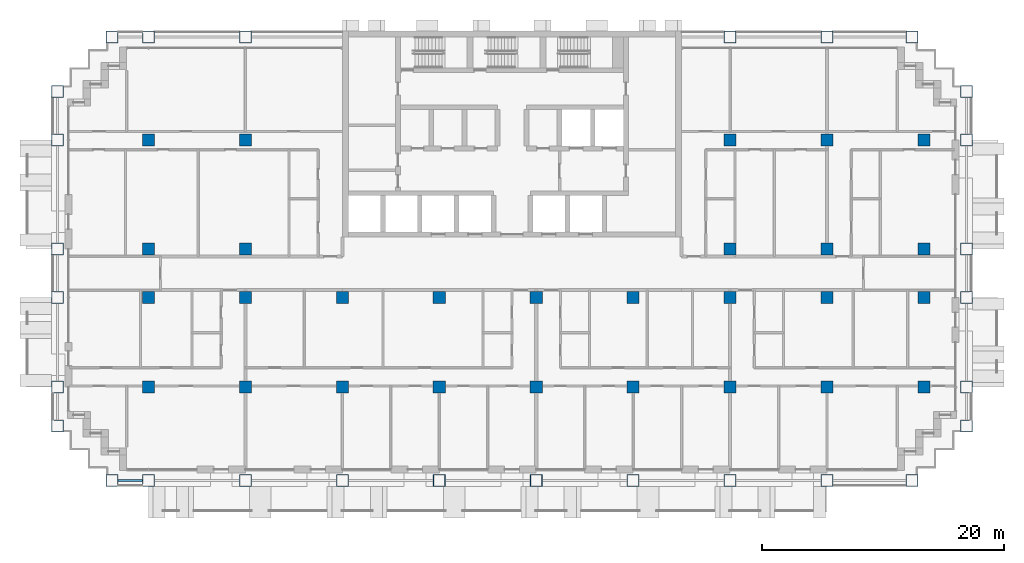
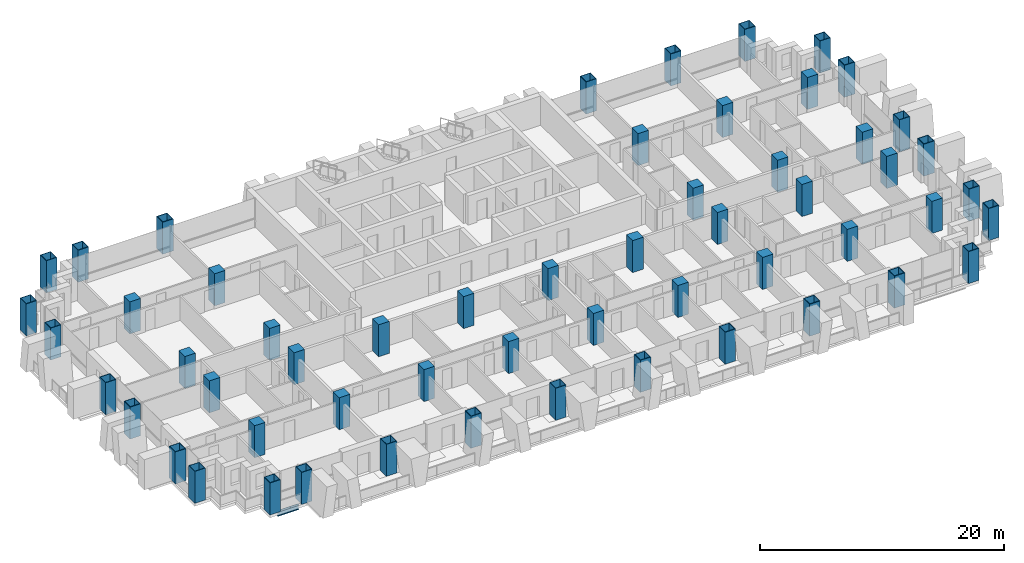
# One storey, part 1 of 18: 56 columns, 1 beam.
"""IFC4 building model written with IfcOpenShell, lengths in metres."""

from ifc_helpers import new_model, si_unit, direction, frame, origin, origin_2d, place, context, subcontext, project, spatial, rectangle, hollow_rectangle, i_section, extrude, material, material_profile, profile_set, type_object, element, save


model = new_model("IFC4")

# Units and contexts
model_context = context("Model", 3, precision=1e-05, world=origin(), true_north=direction((0.0, 1.0)))
body_context = subcontext(model_context, "Body", "Model", "MODEL_VIEW")
ifc_project = project(units=[si_unit("LENGTHUNIT", "METRE"), si_unit("AREAUNIT", "SQUARE_METRE"), si_unit("VOLUMEUNIT", "CUBIC_METRE"), si_unit("PLANEANGLEUNIT", "RADIAN"), si_unit("MASSUNIT", "GRAM", prefix="KILO")], contexts=[model_context])

# Site, building, storey
site_placement = place(None, origin())
site = spatial("IfcSite", under=ifc_project, at=site_placement, CompositionType="ELEMENT")
building_placement = place(site_placement, origin())
building = spatial("IfcBuilding", under=site, at=building_placement, Name="Vidyagriha Tower", CompositionType="ELEMENT")
storey_placement = place(building_placement, frame((0.0, 0.0, 41.60009765625)))
storey = spatial("IfcBuildingStorey", under=building, at=storey_placement, Name="L10", CompositionType="ELEMENT", Elevation=41.60009765625)

# Columns
ifc_material_1 = material(Name="Steel ASTM A572 Grade 50", Category="steel")
ifc_material_profile_1 = material_profile(ifc_material_1, hollow_rectangle(XDim=1.0, YDim=1.0, WallThickness=0.050048828125, at=origin_2d()), Name="BOX 1000x1000x50")
ifc_profile_set_1 = profile_set([ifc_material_profile_1], Name="Steel ASTM A572 Grade 50")
column_type_1 = type_object("IfcColumnType", Name="Exoskeleton column BOX 1000x1000x50", PredefinedType="COLUMN", material=ifc_profile_set_1)
for number, where, name in (
    (1, (-33.0, -17.10009765625, 0.0), "st-col-L10-B1-001"),
    (2, (-30.0, -17.10009765625, 0.0), "st-col-L10-B1-002"),
    (3, (-22.0, -17.10009765625, 0.0), "st-col-L10-B1-003"),
    (4, (-14.0, -17.10009765625, 0.0), "st-col-L10-B1-004"),
    (5, (-6.0, -17.10009765625, 0.0), "st-col-L10-B1-005"),
    (6, (2.0, -17.10009765625, 0.0), "st-col-L10-B1-006"),
    (7, (10.0, -17.10009765625, 0.0), "st-col-L10-B1-007"),
    (8, (18.0, -17.10009765625, 0.0), "st-col-L10-B1-008"),
    (9, (26.0, -17.10009765625, 0.0), "st-col-L10-B1-009"),
    (10, (33.0, -17.10009765625, 0.0), "st-col-L10-B1-010"),
    (11, (-37.5, -12.60009765625, 0.0), "st-col-L10-B1-011"),
    (12, (37.5, -12.60009765625, 0.0), "st-col-L10-B1-012"),
    (13, (-37.5, -9.39990234375, 0.0), "st-col-L10-B1-013"),
    (14, (37.5, -9.39990234375, 0.0), "st-col-L10-B1-023"),
    (15, (-37.5, -2.0, 0.0), "st-col-L10-B1-024"),
    (16, (37.5, -2.0, 0.0), "st-col-L10-B1-034"),
    (17, (-37.5, 2.0, 0.0), "st-col-L10-B1-035"),
    (18, (37.5, 2.0, 0.0), "st-col-L10-B1-041"),
    (19, (-37.5, 11.0, 0.0), "st-col-L10-B1-042"),
    (20, (37.5, 11.0, 0.0), "st-col-L10-B1-048"),
    (21, (-37.5, 15.0, 0.0), "st-col-L10-B1-049"),
    (22, (37.5, 15.0, 0.0), "st-col-L10-B1-050"),
    (23, (-33.0, 19.5, 0.0), "st-col-L10-B1-051"),
    (24, (-30.0, 19.5, 0.0), "st-col-L10-B1-052"),
    (25, (-22.0, 19.5, 0.0), "st-col-L10-B1-053"),
    (26, (18.0, 19.5, 0.0), "st-col-L10-B1-054"),
    (27, (26.0, 19.5, 0.0), "st-col-L10-B1-055"),
    (28, (33.0, 19.5, 0.0), "st-col-L10-B1-056"),
):
    element("IfcColumn", number, at=place(storey_placement, frame(where)), inside=storey, type_object=column_type_1, Name=name, PredefinedType="COLUMN", context=body_context, shape_type="SweptSolid", body=[
        extrude(hollow_rectangle(XDim=1.0, YDim=1.0, WallThickness=0.050048828125, at=origin_2d()), origin(), (0.0, 0.0, 1.0), 3.199951171875),
    ])
ifc_material_2 = material(Name="Concrete C80/95", Category="concrete")
ifc_material_profile_2 = material_profile(ifc_material_2, rectangle(XDim=1.0, YDim=1.0, at=origin_2d()), Name="RC 1000x1000")
ifc_profile_set_2 = profile_set([ifc_material_profile_2], Name="Concrete C80/95")
column_type_2 = type_object("IfcColumnType", Name="Frame column RC 1000x1000", PredefinedType="COLUMN", material=ifc_profile_set_2)
for number, where, name in (
    (29, (-30.0, -9.39990234375, 0.0), "st-col-L10-B1-014"),
    (30, (-22.0, -9.39990234375, 0.0), "st-col-L10-B1-015"),
    (31, (-14.0, -9.39990234375, 0.0), "st-col-L10-B1-016"),
    (32, (-6.0, -9.39990234375, 0.0), "st-col-L10-B1-017"),
    (33, (2.0, -9.39990234375, 0.0), "st-col-L10-B1-018"),
    (34, (10.0, -9.39990234375, 0.0), "st-col-L10-B1-019"),
    (35, (18.0, -9.39990234375, 0.0), "st-col-L10-B1-020"),
    (36, (26.0, -9.39990234375, 0.0), "st-col-L10-B1-021"),
    (37, (34.0, -9.39990234375, 0.0), "st-col-L10-B1-022"),
    (38, (-30.0, -2.0, 0.0), "st-col-L10-B1-025"),
    (39, (-22.0, -2.0, 0.0), "st-col-L10-B1-026"),
    (40, (-14.0, -2.0, 0.0), "st-col-L10-B1-027"),
    (41, (-6.0, -2.0, 0.0), "st-col-L10-B1-028"),
    (42, (2.0, -2.0, 0.0), "st-col-L10-B1-029"),
    (43, (10.0, -2.0, 0.0), "st-col-L10-B1-030"),
    (44, (18.0, -2.0, 0.0), "st-col-L10-B1-031"),
    (45, (26.0, -2.0, 0.0), "st-col-L10-B1-032"),
    (46, (34.0, -2.0, 0.0), "st-col-L10-B1-033"),
    (47, (-30.0, 2.0, 0.0), "st-col-L10-B1-036"),
    (48, (-22.0, 2.0, 0.0), "st-col-L10-B1-037"),
    (49, (18.0, 2.0, 0.0), "st-col-L10-B1-038"),
    (50, (26.0, 2.0, 0.0), "st-col-L10-B1-039"),
    (51, (34.0, 2.0, 0.0), "st-col-L10-B1-040"),
    (52, (-30.0, 11.0, 0.0), "st-col-L10-B1-043"),
    (53, (-22.0, 11.0, 0.0), "st-col-L10-B1-044"),
    (54, (18.0, 11.0, 0.0), "st-col-L10-B1-045"),
    (55, (26.0, 11.0, 0.0), "st-col-L10-B1-046"),
    (56, (34.0, 11.0, 0.0), "st-col-L10-B1-047"),
):
    element("IfcColumn", number, at=place(storey_placement, frame(where)), inside=storey, type_object=column_type_2, Name=name, PredefinedType="COLUMN", context=body_context, shape_type="SweptSolid", body=[
        extrude(rectangle(XDim=1.0, YDim=1.0, at=origin_2d()), origin(), (0.0, 0.0, 1.0), 3.199951171875),
    ])

# Beam
ifc_material_3 = material(Name="Steel ASTM A992 Grade 50", Category="steel")
ifc_material_profile_3 = material_profile(ifc_material_3, i_section(OverallWidth=0.19189453125, OverallDepth=0.46240234375, WebThickness=0.010498046875, FlangeThickness=0.017578125, at=origin_2d()), Name="W18X60")
ifc_profile_set_3 = profile_set([ifc_material_profile_3], Name="Steel ASTM A992 Grade 50")
beam_type = type_object("IfcBeamType", Name="Edge beam W18X60", PredefinedType="SPANDREL", material=ifc_profile_set_3)
beam_placement = place(storey_placement, frame((-32.5, -17.10009765625, -0.51123046875), z_axis=(1.0, 0.0, 0.0), x_axis=(0.0, 1.0, 0.0)))
element("IfcBeam", 57, at=beam_placement, inside=storey, type_object=beam_type, Name="st-beam-L10-S01", PredefinedType="SPANDREL", context=body_context, shape_type="SweptSolid", body=[
    extrude(i_section(OverallWidth=0.19189453125, OverallDepth=0.46240234375, WebThickness=0.010498046875, FlangeThickness=0.017578125, at=origin_2d()), origin(), (0.0, 0.0, 1.0), 2.0),
])

save(model, "model.ifc")
